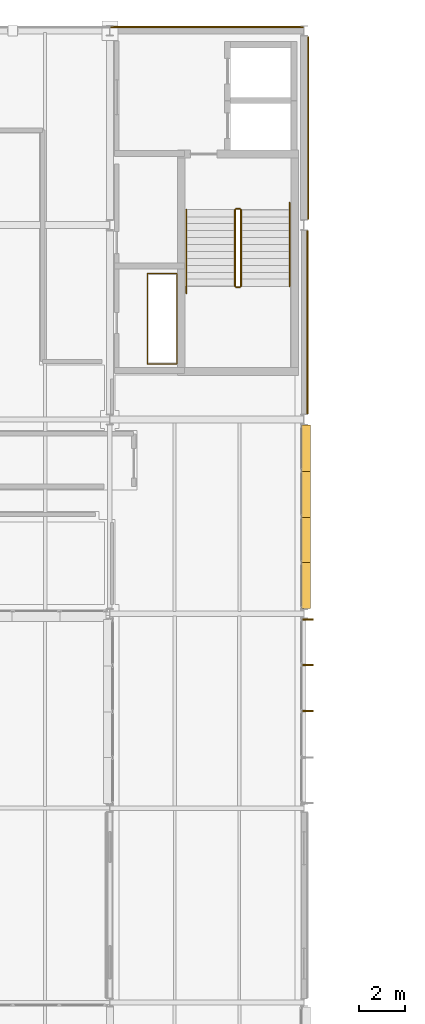
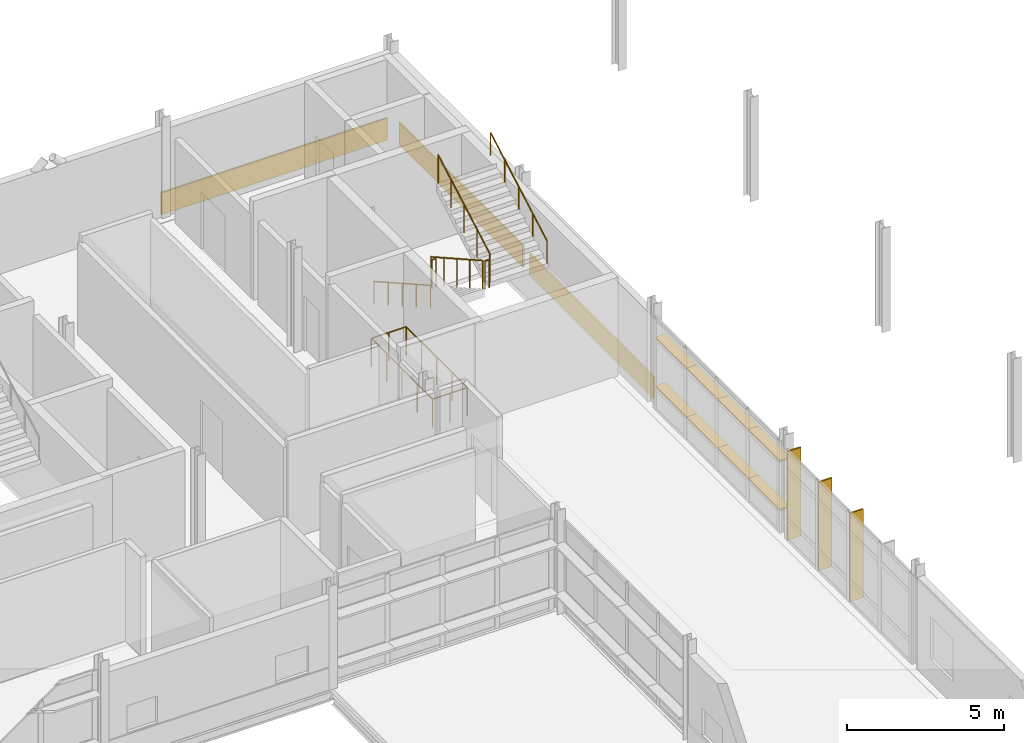
# One storey, part 103 of 103: 11 shading devices, 7 railings, 3 coverings.
"""IFC4 building model written with IfcOpenShell, lengths in metres."""

from ifc_helpers import new_model, si_unit, direction, frame, origin, origin_2d, place, context, subcontext, project, spatial, rectangle, circle, extrude, material, layer, layer_set, type_object, element, save


model = new_model("IFC4")

# Units and contexts
model_context = context("Model", 3, precision=1e-05, world=origin(), true_north=direction((0.0, 1.0)))
body_context = subcontext(model_context, "Body", "Model", "MODEL_VIEW")
ifc_project = project(units=[si_unit("LENGTHUNIT", "METRE"), si_unit("AREAUNIT", "SQUARE_METRE"), si_unit("VOLUMEUNIT", "CUBIC_METRE"), si_unit("PLANEANGLEUNIT", "RADIAN"), si_unit("MASSUNIT", "GRAM", prefix="KILO")], contexts=[model_context])

# Site, building, storey
site_placement = place(None, origin())
site = spatial("IfcSite", under=ifc_project, at=site_placement, CompositionType="ELEMENT")
building_placement = place(site_placement, origin())
building = spatial("IfcBuilding", under=site, at=building_placement, Name="Mersafa Astral City Hall", CompositionType="ELEMENT")
storey_placement = place(building_placement, frame((0.0, 0.0, 18.0)))
storey = spatial("IfcBuildingStorey", under=building, at=storey_placement, Name="L04", CompositionType="ELEMENT", Elevation=18.0)

# Coverings
ifc_material_1 = material(Name="Cairo Mokattam buff limestone cladding", Category="masonry")
ifc_layer = layer(ifc_material_1, 0.06005859375, Name="Cairo Mokattam buff limestone cladding")
ifc_layer_set = layer_set([ifc_layer], Name="Cairo Mokattam buff limestone cladding — ENV-COV-LIMESTONE-60")
covering_type = type_object("IfcCoveringType", Name="ENV-COV-LIMESTONE-60", PredefinedType="CLADDING", material=ifc_layer_set)
for number, where, z_axis, x_axis, name in (
    (1, (176.53955078125, 113.39990234375, 0.0), (0.0, 0.0, 1.0), (0.0, 1.0, 0.0), "L04 Cairo buff limestone rainscreen cladding 278"),
    (2, (176.576904296875, 121.800048828125, 0.0), (0.0, 0.0, 1.0), (0.0, 1.0, 0.0), "L04 Cairo buff limestone rainscreen cladding 279"),
):
    element("IfcCovering", number, at=place(storey_placement, frame(where, z_axis=z_axis, x_axis=x_axis)), inside=storey, type_object=covering_type, Name=name, PredefinedType="CLADDING", context=body_context, shape_type="SweptSolid", body=[
        extrude(rectangle(XDim=7.89794921875, YDim=0.06005859375, at=origin_2d()), origin(), (0.0, 0.0, 1.0), 0.860107421875),
    ])
covering_placement = place(storey_placement, frame((172.199951171875, 126.16943359375, 0.0), z_axis=(0.0, 0.0, 1.0), x_axis=(-1.0, 0.0, 0.0)))
element("IfcCovering", 3, at=covering_placement, inside=storey, type_object=covering_type, Name="L04 Cairo buff limestone rainscreen cladding 280", PredefinedType="CLADDING", context=body_context, shape_type="SweptSolid", body=[
    extrude(rectangle(XDim=8.323974609375, YDim=0.06005859375, at=origin_2d()), origin(), (0.0, 0.0, 1.0), 0.860107421875),
])

# Shading devices
ifc_material_2 = material(Name="Anodised bronze aluminium solar fin", Category="aluminium")
shading_device_type_1 = type_object("IfcShadingDeviceType", Name="ENV-SHD-FIN-500A", PredefinedType="USERDEFINED", material=ifc_material_2)
for number, where, z_axis, x_axis, name in (
    (4, (176.544921875, 96.590087890625, -0.014892578125), (0.0, 0.0, 1.0), (0.0, 1.0, 0.0), "L04 Vertical bronze solar fin 1225"),
    (5, (176.544921875, 98.589111328125, -0.014892578125), (0.0, 0.0, 1.0), (0.0, 1.0, 0.0), "L04 Vertical bronze solar fin 1226"),
    (6, (176.544921875, 100.55810546875, -0.014892578125), (0.0, 0.0, 1.0), (0.0, 1.0, 0.0), "L04 Vertical bronze solar fin 1227"),
):
    element("IfcShadingDevice", number, at=place(storey_placement, frame(where, z_axis=z_axis, x_axis=x_axis)), inside=storey, type_object=shading_device_type_1, Name=name, ObjectType="FIN", PredefinedType="USERDEFINED", context=body_context, shape_type="SweptSolid", body=[
        extrude(rectangle(XDim=0.06005859375, YDim=0.5, at=origin_2d()), origin(), (0.0, 0.0, 1.0), 3.44189453125),
    ])
ifc_material_3 = material(Name="Kiln-dried cedar timber brise-soleil blade", Category="wood")
shading_device_type_2 = type_object("IfcShadingDeviceType", Name="ENV-SHD-LOUVRE-380", PredefinedType="JALOUSIE", material=ifc_material_3)
shading_device_1_placement = place(storey_placement, frame((176.47998046875, 102.02099609375, 0.81494140625), z_axis=(0.0, 0.0, 1.0), x_axis=(0.0, 1.0, 0.0)))
element("IfcShadingDevice", 7, at=shading_device_1_placement, inside=storey, type_object=shading_device_type_2, Name="L04 Horizontal cedar brise-soleil louvre 1228", PredefinedType="JALOUSIE", context=body_context, shape_type="SweptSolid", body=[
    extrude(rectangle(XDim=1.997802734375, YDim=0.3798828125, at=origin_2d()), origin(), (0.0, 0.0, 1.0), 0.070068359375),
])
for number, where, z_axis, x_axis, name in (
    (8, (176.47998046875, 103.99365234375, 0.81494140625), (0.0, 0.0, 1.0), (0.0, 1.0, 0.0), "L04 Horizontal cedar brise-soleil louvre 1229"),
    (9, (176.47998046875, 105.9814453125, 0.81494140625), (0.0, 0.0, 1.0), (0.0, 1.0, 0.0), "L04 Horizontal cedar brise-soleil louvre 1230"),
):
    element("IfcShadingDevice", number, at=place(storey_placement, frame(where, z_axis=z_axis, x_axis=x_axis)), inside=storey, type_object=shading_device_type_2, Name=name, PredefinedType="JALOUSIE", context=body_context, shape_type="SweptSolid", body=[
        extrude(rectangle(XDim=2.027587890625, YDim=0.3798828125, at=origin_2d()), origin(), (0.0, 0.0, 1.0), 0.070068359375),
    ])
for number, where, z_axis, x_axis, name in (
    (10, (176.47998046875, 107.9541015625, 0.81494140625), (0.0, 0.0, 1.0), (0.0, 1.0, 0.0), "L04 Horizontal cedar brise-soleil louvre 1231"),
    (11, (176.47998046875, 102.02099609375, 2.71484375), (0.0, 0.0, 1.0), (0.0, 1.0, 0.0), "L04 Horizontal cedar brise-soleil louvre 1232"),
):
    element("IfcShadingDevice", number, at=place(storey_placement, frame(where, z_axis=z_axis, x_axis=x_axis)), inside=storey, type_object=shading_device_type_2, Name=name, PredefinedType="JALOUSIE", context=body_context, shape_type="SweptSolid", body=[
        extrude(rectangle(XDim=1.997802734375, YDim=0.3798828125, at=origin_2d()), origin(), (0.0, 0.0, 1.0), 0.070068359375),
    ])
for number, where, z_axis, x_axis, name in (
    (12, (176.47998046875, 103.99365234375, 2.71484375), (0.0, 0.0, 1.0), (0.0, 1.0, 0.0), "L04 Horizontal cedar brise-soleil louvre 1233"),
    (13, (176.47998046875, 105.9814453125, 2.71484375), (0.0, 0.0, 1.0), (0.0, 1.0, 0.0), "L04 Horizontal cedar brise-soleil louvre 1234"),
):
    element("IfcShadingDevice", number, at=place(storey_placement, frame(where, z_axis=z_axis, x_axis=x_axis)), inside=storey, type_object=shading_device_type_2, Name=name, PredefinedType="JALOUSIE", context=body_context, shape_type="SweptSolid", body=[
        extrude(rectangle(XDim=2.027587890625, YDim=0.3798828125, at=origin_2d()), origin(), (0.0, 0.0, 1.0), 0.070068359375),
    ])
shading_device_2_placement = place(storey_placement, frame((176.47998046875, 107.9541015625, 2.71484375), z_axis=(0.0, 0.0, 1.0), x_axis=(0.0, 1.0, 0.0)))
element("IfcShadingDevice", 14, at=shading_device_2_placement, inside=storey, type_object=shading_device_type_2, Name="L04 Horizontal cedar brise-soleil louvre 1235", PredefinedType="JALOUSIE", context=body_context, shape_type="SweptSolid", body=[
    extrude(rectangle(XDim=1.997802734375, YDim=0.3798828125, at=origin_2d()), origin(), (0.0, 0.0, 1.0), 0.070068359375),
])

# Railings
ifc_material_4 = material(Name="Painted architectural steel stair guard balustrade", Category="steel")
railing_type_1 = type_object("IfcRailingType", Name="GUARD-RAIL", PredefinedType="BALUSTRADE", material=ifc_material_4)
railing_1_placement = place(storey_placement, frame((173.409912109375, 118.260009765625, 0.168701171875)))
element("IfcRailing", 15, at=railing_1_placement, inside=storey, type_object=railing_type_1, Name="L04 ST2 stair guard 1", PredefinedType="BALUSTRADE", context=body_context, shape_type="SweptSolid", body=[
    extrude(circle(Radius=0.02392578125, at=origin_2d()), frame((0.0, 0.0, 1.09619140625), z_axis=(0.0, -0.871584147158, 0.490245932592), x_axis=(1.0, 0.0, 0.0)), (0.0, 0.0, 1.0), 3.786376953125),
    extrude(circle(Radius=0.02099609375, at=origin_2d()), origin(), (0.0, 0.0, 1.0), 1.072021484375),
    extrude(circle(Radius=0.02099609375, at=origin_2d()), frame((0.0, -0.824951171875, 0.464111328125)), (0.0, 0.0, 1.0), 1.072021484375),
    extrude(circle(Radius=0.02099609375, at=origin_2d()), frame((0.0, -1.64990234375, 0.92822265625)), (0.0, 0.0, 1.0), 1.072021484375),
    extrude(circle(Radius=0.02099609375, at=origin_2d()), frame((0.0, -2.47509765625, 1.39208984375)), (0.0, 0.0, 1.0), 1.072021484375),
    extrude(circle(Radius=0.02099609375, at=origin_2d()), frame((0.0, -3.300048828125, 1.856201171875)), (0.0, 0.0, 1.0), 1.072021484375),
])
railing_2_placement = place(storey_placement, frame((173.4599609375, 114.909912109375, 2.02490234375)))
element("IfcRailing", 16, at=railing_2_placement, inside=storey, type_object=railing_type_1, Name="L04 ST2 stair guard 2", PredefinedType="BALUSTRADE", context=body_context, shape_type="SweptSolid", body=[
    extrude(circle(Radius=0.02392578125, at=origin_2d()), frame((0.0, 0.0, 1.09619140625), z_axis=(1.0, 0.0, 0.0), x_axis=(0.0, 1.0, 0.0)), (0.0, 0.0, 1.0), 0.16015625),
    extrude(circle(Radius=0.02099609375, at=origin_2d()), origin(), (0.0, 0.0, 1.0), 1.072021484375),
    extrude(circle(Radius=0.02099609375, at=origin_2d()), frame((0.16015625, 0.0, 0.0)), (0.0, 0.0, 1.0), 1.072021484375),
])
railing_3_placement = place(storey_placement, frame((173.669921875, 114.9599609375, 2.19384765625)))
element("IfcRailing", 17, at=railing_3_placement, inside=storey, type_object=railing_type_1, Name="L04 ST2 stair guard 3", PredefinedType="BALUSTRADE", context=body_context, shape_type="SweptSolid", body=[
    extrude(circle(Radius=0.02392578125, at=origin_2d()), frame((0.0, 0.0, 1.09619140625), z_axis=(0.0, 0.871584147158, 0.490245932592), x_axis=(-1.0, 0.0, 0.0)), (0.0, 0.0, 1.0), 3.786376953125),
    extrude(circle(Radius=0.02099609375, at=origin_2d()), origin(), (0.0, 0.0, 1.0), 1.072021484375),
    extrude(circle(Radius=0.02099609375, at=origin_2d()), frame((0.0, 0.824951171875, 0.464111328125)), (0.0, 0.0, 1.0), 1.072021484375),
    extrude(circle(Radius=0.02099609375, at=origin_2d()), frame((0.0, 1.64990234375, 0.92822265625)), (0.0, 0.0, 1.0), 1.072021484375),
    extrude(circle(Radius=0.02099609375, at=origin_2d()), frame((0.0, 2.47509765625, 1.39208984375)), (0.0, 0.0, 1.0), 1.072021484375),
    extrude(circle(Radius=0.02099609375, at=origin_2d()), frame((0.0, 3.300048828125, 1.856201171875)), (0.0, 0.0, 1.0), 1.072021484375),
])
railing_4_placement = place(storey_placement, frame((173.4599609375, 118.31005859375, 0.0)))
element("IfcRailing", 18, at=railing_4_placement, inside=storey, type_object=railing_type_1, Name="L04 ST2 stair guard 4", PredefinedType="BALUSTRADE", context=body_context, shape_type="SweptSolid", body=[
    extrude(circle(Radius=0.02392578125, at=origin_2d()), frame((0.0, 0.0, 1.09619140625), z_axis=(1.0, 0.0, 0.0), x_axis=(0.0, 1.0, 0.0)), (0.0, 0.0, 1.0), 0.16015625),
    extrude(circle(Radius=0.02099609375, at=origin_2d()), origin(), (0.0, 0.0, 1.0), 1.072021484375),
    extrude(circle(Radius=0.02099609375, at=origin_2d()), frame((0.16015625, 0.0, 0.0)), (0.0, 0.0, 1.0), 1.072021484375),
])
railing_5_placement = place(storey_placement, frame((169.6201171875, 111.60009765625, 0.0)))
element("IfcRailing", 19, at=railing_5_placement, inside=storey, type_object=railing_type_1, Name="L04 K2 MEP Riser Shaft Guard", PredefinedType="BALUSTRADE", context=body_context, shape_type="SweptSolid", body=[
    extrude(circle(Radius=0.02392578125, at=origin_2d()), frame((0.0, 0.0, 1.09619140625), z_axis=(1.0, 0.0, 0.0), x_axis=(0.0, 1.0, 0.0)), (0.0, 0.0, 1.0), 1.27978515625),
    extrude(circle(Radius=0.02392578125, at=origin_2d()), frame((1.27978515625, 0.0, 1.09619140625), z_axis=(0.0, 1.0, 0.0), x_axis=(-1.0, 0.0, 0.0)), (0.0, 0.0, 1.0), 3.89990234375),
    extrude(circle(Radius=0.02392578125, at=origin_2d()), frame((1.27978515625, 3.89990234375, 1.09619140625), z_axis=(-1.0, 0.0, 0.0), x_axis=(0.0, -1.0, 0.0)), (0.0, 0.0, 1.0), 1.27978515625),
    extrude(circle(Radius=0.02392578125, at=origin_2d()), frame((0.0, 3.89990234375, 1.09619140625), z_axis=(0.0, -1.0, 0.0), x_axis=(1.0, 0.0, 0.0)), (0.0, 0.0, 1.0), 3.89990234375),
    extrude(circle(Radius=0.02099609375, at=origin_2d()), origin(), (0.0, 0.0, 1.0), 1.072021484375),
    extrude(circle(Radius=0.02099609375, at=origin_2d()), frame((0.639892578125, 0.0, 0.0)), (0.0, 0.0, 1.0), 1.072021484375),
    extrude(circle(Radius=0.02099609375, at=origin_2d()), frame((1.27978515625, 0.0, 0.0)), (0.0, 0.0, 1.0), 1.072021484375),
    extrude(circle(Radius=0.02099609375, at=origin_2d()), frame((1.27978515625, 0.97509765625, 0.0)), (0.0, 0.0, 1.0), 1.072021484375),
    extrude(circle(Radius=0.02099609375, at=origin_2d()), frame((1.27978515625, 1.949951171875, 0.0)), (0.0, 0.0, 1.0), 1.072021484375),
    extrude(circle(Radius=0.02099609375, at=origin_2d()), frame((1.27978515625, 2.9248046875, 0.0)), (0.0, 0.0, 1.0), 1.072021484375),
    extrude(circle(Radius=0.02099609375, at=origin_2d()), frame((1.27978515625, 3.89990234375, 0.0)), (0.0, 0.0, 1.0), 1.072021484375),
    extrude(circle(Radius=0.02099609375, at=origin_2d()), frame((0.639892578125, 3.89990234375, 0.0)), (0.0, 0.0, 1.0), 1.072021484375),
    extrude(circle(Radius=0.02099609375, at=origin_2d()), frame((0.0, 3.89990234375, 0.0)), (0.0, 0.0, 1.0), 1.072021484375),
    extrude(circle(Radius=0.02099609375, at=origin_2d()), frame((0.0, 2.9248046875, 0.0)), (0.0, 0.0, 1.0), 1.072021484375),
    extrude(circle(Radius=0.02099609375, at=origin_2d()), frame((0.0, 1.949951171875, 0.0)), (0.0, 0.0, 1.0), 1.072021484375),
    extrude(circle(Radius=0.02099609375, at=origin_2d()), frame((0.0, 0.97509765625, 0.0)), (0.0, 0.0, 1.0), 1.072021484375),
])
ifc_material_5 = material(Name="Brushed stainless steel tubular handrail", Category="steel")
railing_type_2 = type_object("IfcRailingType", Name="HANDRAIL", PredefinedType="HANDRAIL", material=ifc_material_5)
railing_6_placement = place(storey_placement, frame((171.31005859375, 118.260009765625, 0.168701171875)))
element("IfcRailing", 20, at=railing_6_placement, inside=storey, type_object=railing_type_2, Name="L04 ST2 stair handrail 1", PredefinedType="HANDRAIL", context=body_context, shape_type="SweptSolid", body=[
    extrude(circle(Radius=0.02392578125, at=origin_2d()), frame((0.0, 0.0, 0.8759765625), z_axis=(0.0, -0.871262930089, 0.49081657129), x_axis=(1.0, 0.0, 0.0)), (0.0, 0.0, 1.0), 4.132080078125),
    extrude(circle(Radius=0.02099609375, at=origin_2d()), origin(), (0.0, 0.0, 1.0), 0.851806640625),
    extrude(circle(Radius=0.02099609375, at=origin_2d()), frame((0.0, -0.89990234375, 0.507080078125)), (0.0, 0.0, 1.0), 0.851806640625),
    extrude(circle(Radius=0.02099609375, at=origin_2d()), frame((0.0, -1.800048828125, 1.01416015625)), (0.0, 0.0, 1.0), 0.851806640625),
    extrude(circle(Radius=0.02099609375, at=origin_2d()), frame((0.0, -2.7001953125, 1.52099609375)), (0.0, 0.0, 1.0), 0.851806640625),
    extrude(circle(Radius=0.02099609375, at=origin_2d()), frame((0.0, -3.60009765625, 2.028076171875)), (0.0, 0.0, 1.0), 0.851806640625),
])
railing_7_placement = place(storey_placement, frame((175.77001953125, 114.9599609375, 2.19384765625)))
element("IfcRailing", 21, at=railing_7_placement, inside=storey, type_object=railing_type_2, Name="L04 ST2 stair handrail 2", PredefinedType="HANDRAIL", context=body_context, shape_type="SweptSolid", body=[
    extrude(circle(Radius=0.02392578125, at=origin_2d()), frame((0.0, 0.0, 0.8759765625), z_axis=(0.0, 0.871288196072, 0.4907717182), x_axis=(-1.0, 0.0, 0.0)), (0.0, 0.0, 1.0), 4.1318359375),
    extrude(circle(Radius=0.02099609375, at=origin_2d()), origin(), (0.0, 0.0, 1.0), 0.851806640625),
    extrude(circle(Radius=0.02099609375, at=origin_2d()), frame((0.0, 0.89990234375, 0.5068359375)), (0.0, 0.0, 1.0), 0.851806640625),
    extrude(circle(Radius=0.02099609375, at=origin_2d()), frame((0.0, 1.800048828125, 1.013916015625)), (0.0, 0.0, 1.0), 0.851806640625),
    extrude(circle(Radius=0.02099609375, at=origin_2d()), frame((0.0, 2.7001953125, 1.52099609375)), (0.0, 0.0, 1.0), 0.851806640625),
    extrude(circle(Radius=0.02099609375, at=origin_2d()), frame((0.0, 3.60009765625, 2.02783203125)), (0.0, 0.0, 1.0), 0.851806640625),
])

save(model, "model.ifc")
